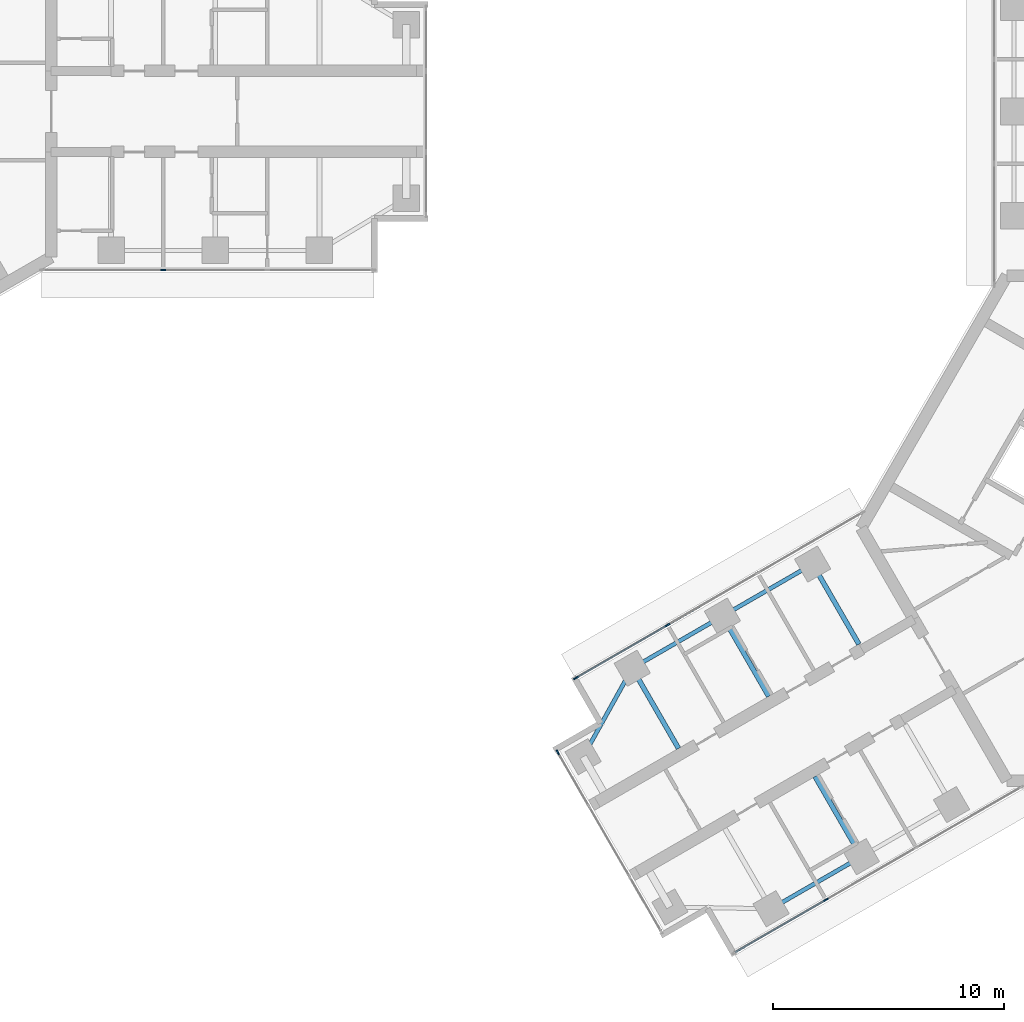
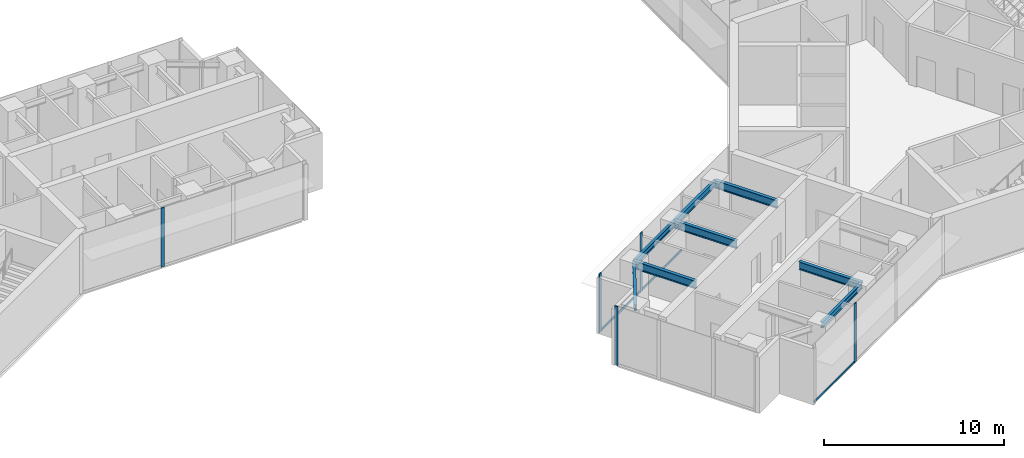
# One storey, part 3 of 17: 8 beams, 8 members, 4 elements without a shape of their own.
"""IFC4 building model written with IfcOpenShell, lengths in metres."""

from ifc_helpers import new_model, si_unit, direction, frame, origin, origin_2d, place, context, subcontext, project, spatial, rectangle, i_section, extrude, material, material_profile, profile_set, type_object, element, aggregate, save


model = new_model("IFC4")

# Units and contexts
model_context = context("Model", 3, precision=1e-05, world=origin(), true_north=direction((0.0, 1.0)))
body_context = subcontext(model_context, "Body", "Model", "MODEL_VIEW")
ifc_project = project(units=[si_unit("LENGTHUNIT", "METRE"), si_unit("AREAUNIT", "SQUARE_METRE"), si_unit("VOLUMEUNIT", "CUBIC_METRE"), si_unit("PLANEANGLEUNIT", "RADIAN"), si_unit("MASSUNIT", "GRAM", prefix="KILO")], contexts=[model_context])

# Site, building, storey
site_placement = place(None, origin())
site = spatial("IfcSite", under=ifc_project, at=site_placement, CompositionType="ELEMENT")
building_placement = place(site_placement, origin())
building = spatial("IfcBuilding", under=site, at=building_placement, Name="Upepo Twin Towers", CompositionType="ELEMENT")
storey_placement = place(building_placement, frame((0.0, 0.0, 206.5)))
storey = spatial("IfcBuildingStorey", under=building, at=storey_placement, Name="L50", CompositionType="ELEMENT", Elevation=206.5)

# Beams
ifc_material_1 = material(Name="Steel S355", Category="steel")
ifc_material_profile_1 = material_profile(ifc_material_1, i_section(OverallWidth=0.177978515625, OverallDepth=0.406494140625, WebThickness=0.0078125, FlangeThickness=0.0126953125, FilletRadius=0.01025390625, at=origin_2d()), Name="UB 406x178x60")
ifc_profile_set_1 = profile_set([ifc_material_profile_1], Name="Steel S355")
beam_type_1 = type_object("IfcBeamType", Name="Beam UB 406x178x60", PredefinedType="BEAM", material=ifc_profile_set_1)
beam_1_placement = place(storey_placement, frame((45.91162109375, -32.196044921875, 3.5966796875), z_axis=(-0.866031096941, -0.499990139034, 0.0), x_axis=(0.499990139034, -0.866031096941, 0.0)))
element("IfcBeam", 1, at=beam_1_placement, inside=storey, type_object=beam_type_1, Name="T2 edge beam BL 18.0-22.5", PredefinedType="BEAM", context=body_context, shape_type="SweptSolid", body=[
    extrude(i_section(OverallWidth=0.177978515625, OverallDepth=0.406494140625, WebThickness=0.0078125, FlangeThickness=0.0126953125, FilletRadius=0.01025390625, at=origin_2d()), origin(), (0.0, 0.0, 1.0), 4.5),
])
beam_2_placement = place(storey_placement, frame((43.80859375, -19.553955078125, 3.5966796875), z_axis=(-0.866017533419, -0.500013631625, 0.0), x_axis=(0.500013631625, -0.866017533419, 0.0)))
element("IfcBeam", 2, at=beam_2_placement, inside=storey, type_object=beam_type_1, Name="T2 edge beam BR 13.5-18.0", PredefinedType="BEAM", context=body_context, shape_type="SweptSolid", body=[
    extrude(i_section(OverallWidth=0.177978515625, OverallDepth=0.406494140625, WebThickness=0.0078125, FlangeThickness=0.0126953125, FilletRadius=0.01025390625, at=origin_2d()), origin(), (0.0, 0.0, 1.0), 4.499755859375),
])
beam_3_placement = place(storey_placement, frame((39.91162109375, -21.803955078125, 3.5966796875), z_axis=(-0.866031096941, -0.499990139034, 0.0), x_axis=(0.499990139034, -0.866031096941, 0.0)))
element("IfcBeam", 3, at=beam_3_placement, inside=storey, type_object=beam_type_1, Name="T2 edge beam BR 18.0-22.5", PredefinedType="BEAM", context=body_context, shape_type="SweptSolid", body=[
    extrude(i_section(OverallWidth=0.177978515625, OverallDepth=0.406494140625, WebThickness=0.0078125, FlangeThickness=0.0126953125, FilletRadius=0.01025390625, at=origin_2d()), origin(), (0.0, 0.0, 1.0), 4.5),
])
beam_4_placement = place(storey_placement, frame((36.014404296875, -24.053955078125, 3.5966796875), z_axis=(-0.485363242752, -0.874312600038, 0.0), x_axis=(0.874312600038, -0.485363242752, 0.0)))
element("IfcBeam", 4, at=beam_4_placement, inside=storey, type_object=beam_type_1, Name="T2 nose edge beam BR", PredefinedType="BEAM", context=body_context, shape_type="SweptSolid", body=[
    extrude(i_section(OverallWidth=0.177978515625, OverallDepth=0.406494140625, WebThickness=0.0078125, FlangeThickness=0.0126953125, FilletRadius=0.01025390625, at=origin_2d()), origin(), (0.0, 0.0, 1.0), 4.373046875),
])
ifc_material_2 = material(Name="Steel S355", Category="steel")
ifc_material_profile_2 = material_profile(ifc_material_2, i_section(OverallWidth=0.209228515625, OverallDepth=0.533203125, WebThickness=0.010009765625, FlangeThickness=0.015625, FilletRadius=0.0126953125, at=origin_2d()), Name="UB 533x210x92")
ifc_profile_set_2 = profile_set([ifc_material_profile_2], Name="Steel S355")
beam_type_2 = type_object("IfcBeamType", Name="Beam UB 533x210x92", PredefinedType="BEAM", material=ifc_profile_set_2)
for number, where, z_axis, x_axis, name in (
    (5, (45.91162109375, -32.196044921875, 3.533447265625), (-0.49999894854, 0.866026010844, 0.0), (-0.866026010844, -0.49999894854, 0.0), "T2 girder BL at 18.0"),
    (6, (43.80859375, -19.553955078125, 3.533447265625), (0.49999894854, -0.866026010844, 0.0), (0.866026010844, 0.49999894854, 0.0), "T2 girder BR at 13.5"),
    (7, (39.91162109375, -21.803955078125, 3.533447265625), (0.49999894854, -0.866026010844, 0.0), (0.866026010844, 0.49999894854, 0.0), "T2 girder BR at 18.0"),
    (8, (36.014404296875, -24.053955078125, 3.533447265625), (0.49999894854, -0.866026010844, 0.0), (0.866026010844, 0.49999894854, 0.0), "T2 girder BR at 22.5"),
):
    element("IfcBeam", number, at=place(storey_placement, frame(where, z_axis=z_axis, x_axis=x_axis)), inside=storey, type_object=beam_type_2, Name=name, PredefinedType="BEAM", context=body_context, shape_type="SweptSolid", body=[
        extrude(i_section(OverallWidth=0.209228515625, OverallDepth=0.533203125, WebThickness=0.010009765625, FlangeThickness=0.015625, FilletRadius=0.0126953125, at=origin_2d()), origin(), (0.0, 0.0, 1.0), 4.0),
    ])

# Curtain wall, member
ifc_material_3 = material(Name="Aluminium and fritted glass", Category="aluminium")
curtain_wall_type = type_object("IfcCurtainWallType", Name="Tower curtain wall TW3, fritted glass", PredefinedType="NOTDEFINED", material=ifc_material_3)
curtain_wall_1_placement = place(storey_placement, origin())
curtain_wall_1 = element("IfcCurtainWall", 9, at=curtain_wall_1_placement, inside=storey, type_object=curtain_wall_type, Name="T1 L50 wing A flank R curtain wall", PredefinedType="NOTDEFINED")
ifc_material_4 = material(Name="Aluminium mullion", Category="aluminium")
ifc_material_profile_3 = material_profile(ifc_material_4, rectangle(XDim=0.06494140625, YDim=0.22509765625, at=origin_2d()), Name="MULLION 65x225")
ifc_profile_set_3 = profile_set([ifc_material_profile_3], Name="Aluminium mullion")
member_type_1 = type_object("IfcMemberType", Name="Mullion 65x225 TW3", PredefinedType="MULLION", material=ifc_profile_set_3)
member_1_placement = place(storey_placement, frame((15.75, -6.85009765625, 0.0), z_axis=(0.0, 0.0, 1.0), x_axis=(0.0, -1.0, 0.0)))
member_1 = element("IfcMember", 10, at=member_1_placement, type_object=member_type_1, Name="T1 L50 wing A flank R curtain wall mullion 3", PredefinedType="MULLION", context=body_context, shape_type="SweptSolid", body=[
    extrude(rectangle(XDim=0.06494140625, YDim=0.22509765625, at=origin_2d()), origin(), (0.0, 0.0, 1.0), 4.0),
])
aggregate(curtain_wall_1, [member_1])

curtain_wall_2_placement = place(storey_placement, origin())
curtain_wall_2 = element("IfcCurtainWall", 11, at=curtain_wall_2_placement, inside=storey, type_object=curtain_wall_type, Name="T2 L50 wing B flank L curtain wall", PredefinedType="NOTDEFINED")
member_2_placement = place(storey_placement, frame((44.387939453125, -34.057373046875, 0.0), z_axis=(0.0, 0.0, 1.0), x_axis=(0.500000026527, -0.866025388469, 0.0)))
member_2 = element("IfcMember", 12, at=member_2_placement, type_object=member_type_1, Name="T2 L50 wing B flank L curtain wall mullion 3", PredefinedType="MULLION", context=body_context, shape_type="SweptSolid", body=[
    extrude(rectangle(XDim=0.06494140625, YDim=0.22509765625, at=origin_2d()), origin(), (0.0, 0.0, 1.0), 4.0),
])

# Curtain wall, members
curtain_wall_3_placement = place(storey_placement, origin())
curtain_wall_3 = element("IfcCurtainWall", 13, at=curtain_wall_3_placement, inside=storey, type_object=curtain_wall_type, Name="T2 L50 wing B flank R curtain wall", PredefinedType="NOTDEFINED")
member_3_placement = place(storey_placement, frame((33.58251953125, -24.4765625, 0.0), z_axis=(0.0, 0.0, 1.0), x_axis=(-0.500000026527, 0.866025388469, 0.0)))
member_3 = element("IfcMember", 14, at=member_3_placement, type_object=member_type_1, Name="T2 L50 wing B flank R curtain wall mullion 1", PredefinedType="MULLION", context=body_context, shape_type="SweptSolid", body=[
    extrude(rectangle(XDim=0.06494140625, YDim=0.22509765625, at=origin_2d()), origin(), (0.0, 0.0, 1.0), 4.0),
])
member_4_placement = place(storey_placement, frame((37.5380859375, -22.192626953125, 0.0), z_axis=(0.0, 0.0, 1.0), x_axis=(-0.500000026527, 0.866025388469, 0.0)))
member_4 = element("IfcMember", 15, at=member_4_placement, type_object=member_type_1, Name="T2 L50 wing B flank R curtain wall mullion 2", PredefinedType="MULLION", context=body_context, shape_type="SweptSolid", body=[
    extrude(rectangle(XDim=0.06494140625, YDim=0.22509765625, at=origin_2d()), origin(), (0.0, 0.0, 1.0), 4.0),
])

# Curtain wall, member
curtain_wall_4_placement = place(storey_placement, origin())
curtain_wall_4 = element("IfcCurtainWall", 16, at=curtain_wall_4_placement, inside=storey, type_object=curtain_wall_type, Name="T2 L50 wing B nose curtain wall", PredefinedType="NOTDEFINED")
member_5_placement = place(storey_placement, frame((32.796875, -27.68115234375, 0.0), z_axis=(0.0, 0.0, 1.0), x_axis=(0.866025386174, 0.500000030502, 0.0)))
member_5 = element("IfcMember", 17, at=member_5_placement, type_object=member_type_1, Name="T2 L50 wing B nose curtain wall mullion 1", PredefinedType="MULLION", context=body_context, shape_type="SweptSolid", body=[
    extrude(rectangle(XDim=0.06494140625, YDim=0.22509765625, at=origin_2d()), origin(), (0.0, 0.0, 1.0), 4.0),
])
aggregate(curtain_wall_4, [member_5])

# Member
ifc_material_5 = material(Name="Aluminium transom", Category="aluminium")
ifc_material_profile_4 = material_profile(ifc_material_5, rectangle(XDim=0.06494140625, YDim=0.14990234375, at=origin_2d()), Name="TRANSOM 65x150")
ifc_profile_set_4 = profile_set([ifc_material_profile_4], Name="Aluminium transom")
member_type_2 = type_object("IfcMemberType", Name="Transom 65x150 TW3", PredefinedType="USERDEFINED", material=ifc_profile_set_4)
member_6_placement = place(storey_placement, frame((44.35986328125, -34.073486328125, 0.074951171875), z_axis=(-0.866035699072, -0.499982167615, 0.0), x_axis=(0.499982167615, -0.866035699072, 0.0)))
member_6 = element("IfcMember", 18, at=member_6_placement, type_object=member_type_2, Name="T2 L50 wing B flank L curtain wall transom 3", ObjectType="TRANSOM", PredefinedType="USERDEFINED", context=body_context, shape_type="SweptSolid", body=[
    extrude(rectangle(XDim=0.06494140625, YDim=0.14990234375, at=origin_2d()), origin(), (0.0, 0.0, 1.0), 4.502685546875),
])

aggregate(curtain_wall_2, [member_2, member_6])

member_7_placement = place(storey_placement, frame((33.610595703125, -24.460205078125, 0.074951171875), z_axis=(0.866022143554, 0.500005646842, 0.0), x_axis=(-0.500005646842, 0.866022143554, 0.0)))
member_7 = element("IfcMember", 19, at=member_7_placement, type_object=member_type_2, Name="T2 L50 wing B flank R curtain wall transom 1", ObjectType="TRANSOM", PredefinedType="USERDEFINED", context=body_context, shape_type="SweptSolid", body=[
    extrude(rectangle(XDim=0.06494140625, YDim=0.14990234375, at=origin_2d()), origin(), (0.0, 0.0, 1.0), 4.50244140625),
])

member_8_placement = place(storey_placement, frame((37.566162109375, -22.176513671875, 0.074951171875), z_axis=(0.866022410713, 0.500005184116, 0.0), x_axis=(-0.500005184116, 0.866022410713, 0.0)))
member_8 = element("IfcMember", 20, at=member_8_placement, type_object=member_type_2, Name="T2 L50 wing B flank R curtain wall transom 2", ObjectType="TRANSOM", PredefinedType="USERDEFINED", context=body_context, shape_type="SweptSolid", body=[
    extrude(rectangle(XDim=0.06494140625, YDim=0.14990234375, at=origin_2d()), origin(), (0.0, 0.0, 1.0), 4.43505859375),
])

aggregate(curtain_wall_3, [member_3, member_4, member_7, member_8])

save(model, "model.ifc")
